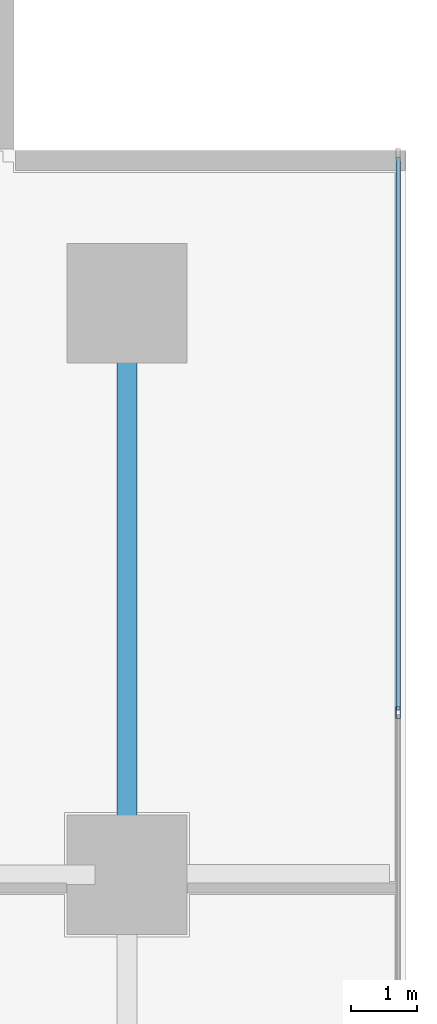
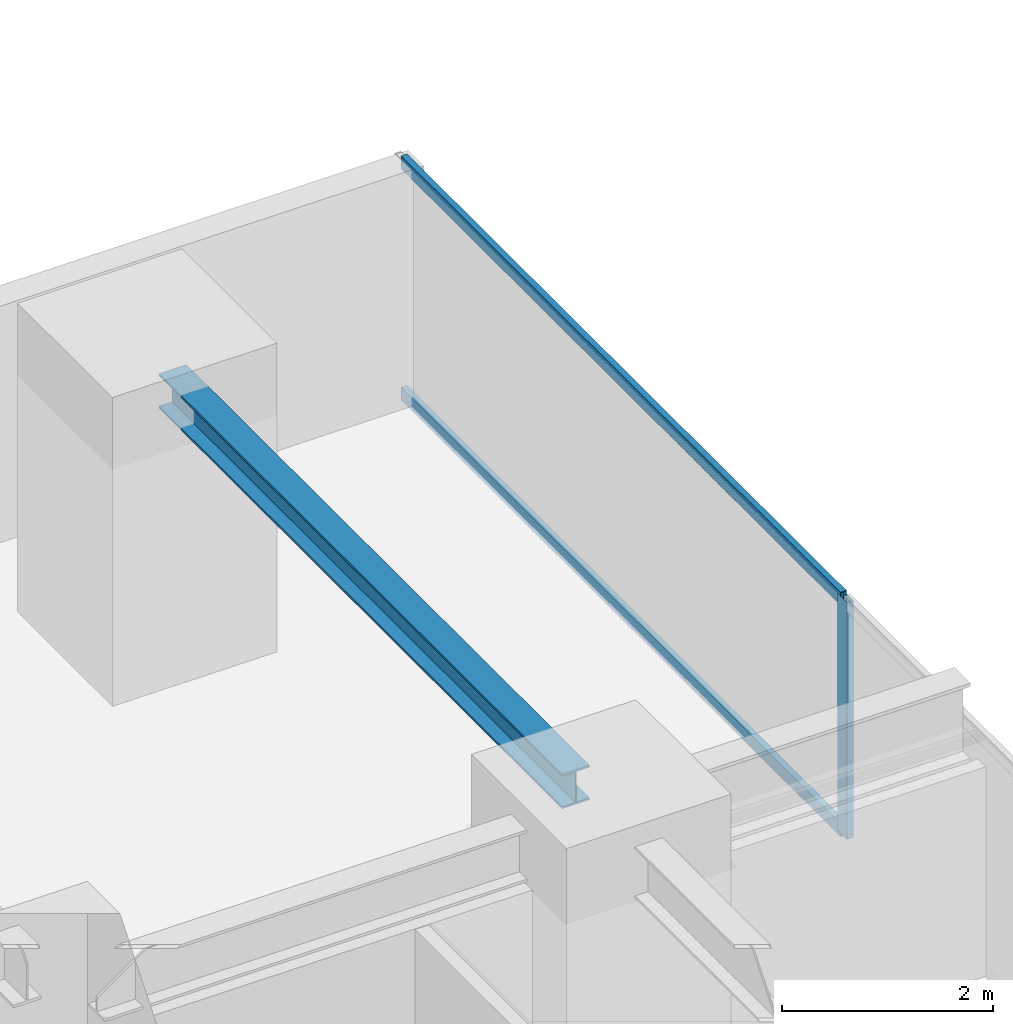
# One storey, part 20 of 32: 3 members, 1 beam, 1 element without a shape of its own.
"""IFC4 building model written with IfcOpenShell, lengths in metres."""

from ifc_helpers import new_model, si_unit, direction, frame, origin, origin_2d, place, context, subcontext, project, spatial, hollow_rectangle, i_section, extrude, source, transform, mapped, material, layer, layer_set, material_profile, profile_set, type_object, element, aggregate, save


model = new_model("IFC4")

# Units and contexts
model_context = context("Model", 3, precision=1e-05, world=origin(), true_north=direction((0.0, 1.0)))
body_context = subcontext(model_context, "Body", "Model", "MODEL_VIEW")
ifc_project = project(units=[si_unit("LENGTHUNIT", "METRE"), si_unit("AREAUNIT", "SQUARE_METRE"), si_unit("VOLUMEUNIT", "CUBIC_METRE"), si_unit("PLANEANGLEUNIT", "RADIAN"), si_unit("MASSUNIT", "GRAM", prefix="KILO")], contexts=[model_context])

# Site, building, storey
site_placement = place(None, origin())
site = spatial("IfcSite", under=ifc_project, at=site_placement, CompositionType="ELEMENT")
building_placement = place(site_placement, origin())
building = spatial("IfcBuilding", under=site, at=building_placement, Name="Sumidabori Civic Tower", CompositionType="ELEMENT")
storey_placement = place(building_placement, frame((0.0, 0.0, 52.39990234375)))
storey = spatial("IfcBuildingStorey", under=building, at=storey_placement, Name="L13", CompositionType="ELEMENT", Elevation=52.39990234375)

# Beam
ifc_material_1 = material(Name="Steel SN490", Category="steel")
ifc_material_profile_1 = material_profile(ifc_material_1, i_section(OverallWidth=0.300048828125, OverallDepth=0.39990234375, WebThickness=0.013427734375, FlangeThickness=0.02392578125, at=origin_2d()), Name="HE 400 B")
ifc_profile_set_1 = profile_set([ifc_material_profile_1], Name="Steel SN490")
beam_type = type_object("IfcBeamType", Name="BM-GIRD-400", PredefinedType="BEAM", material=ifc_profile_set_1)
shared_shape_1 = source(origin(), body_context, "Body", "SweptSolid", [
    extrude(i_section(OverallWidth=0.300048828125, OverallDepth=0.39990234375, WebThickness=0.013427734375, FlangeThickness=0.02392578125, at=origin_2d()), origin(), (0.0, 0.0, 1.0), 7.64013671875),
])
beam_placement = place(storey_placement, frame((22.800048828125, 10.679931640625, 3.16015625), z_axis=(0.0, 1.0, 0.0), x_axis=(-1.0, 0.0, 0.0)))
element("IfcBeam", 1, at=beam_placement, inside=storey, type_object=beam_type, Name="Primary Girder L13 GY-42", PredefinedType="BEAM", context=body_context, shape_type="MappedRepresentation", body=[
    mapped(shared_shape_1, transform((0.0, 0.0, 0.0), x_axis=(1.0, 0.0, 0.0), y_axis=(0.0, 1.0, 0.0), z_axis=(0.0, 0.0, 1.0), scale=1.0)),
])

# Curtain wall, members
ifc_material_2 = material(Name="Anodised Bronze Aluminium AW-6063-T6", Category="aluminium")
ifc_layer = layer(ifc_material_2, 0.179931640625, Name="Anodised Bronze Aluminium AW-6063-T6")
ifc_layer_set = layer_set([ifc_layer], Name="Anodised Bronze Aluminium AW-6063-T6")
curtain_wall_type = type_object("IfcCurtainWallType", Name="CW-SYS-2", PredefinedType="NOTDEFINED", material=ifc_layer_set)
curtain_wall_placement = place(storey_placement, origin())
curtain_wall = element("IfcCurtainWall", 2, at=curtain_wall_placement, inside=storey, type_object=curtain_wall_type, Name="Curtain Wall CW:L13:R04", PredefinedType="NOTDEFINED")
ifc_material_profile_2 = material_profile(ifc_material_2, hollow_rectangle(XDim=0.070068359375, YDim=0.179931640625, WallThickness=0.006103515625, at=origin_2d()), Name="ALU MULLION 180x70")
ifc_profile_set_2 = profile_set([ifc_material_profile_2], Name="Anodised Bronze Aluminium AW-6063-T6")
member_type_1 = type_object("IfcMemberType", Name="CW-MUL-180", PredefinedType="MULLION", material=ifc_profile_set_2)
shared_shape_2 = source(origin(), body_context, "Body", "SweptSolid", [
    extrude(hollow_rectangle(XDim=0.070068359375, YDim=0.179931640625, WallThickness=0.006103515625, at=origin_2d()), origin(), (0.0, 0.0, 1.0), 2.739990234375),
])
member_1_placement = place(storey_placement, frame((26.8798828125, 12.64208984375, 0.0), z_axis=(0.0, 0.0, 1.0), x_axis=(-1.0, 0.0, 0.0)))
member_1 = element("IfcMember", 3, at=member_1_placement, type_object=member_type_1, Name="CW-2 mullion 5", PredefinedType="MULLION", context=body_context, shape_type="MappedRepresentation", body=[
    mapped(shared_shape_2, transform((0.0, 0.0, 0.0), x_axis=(1.0, 0.0, 0.0), y_axis=(0.0, 1.0, 0.0), z_axis=(0.0, 0.0, 1.0), scale=1.0)),
])
ifc_material_profile_3 = material_profile(ifc_material_2, hollow_rectangle(XDim=0.06494140625, YDim=0.14990234375, WallThickness=0.0048828125, at=origin_2d()), Name="ALU TRANSOM 150x65")
ifc_profile_set_3 = profile_set([ifc_material_profile_3], Name="Anodised Bronze Aluminium AW-6063-T6")
member_type_2 = type_object("IfcMemberType", Name="CW-TRN-150", PredefinedType="USERDEFINED", material=ifc_profile_set_3)
shared_shape_3 = source(origin(), body_context, "Body", "SweptSolid", [
    extrude(hollow_rectangle(XDim=0.06494140625, YDim=0.14990234375, WallThickness=0.0048828125, at=origin_2d()), origin(), (0.0, 0.0, 1.0), 8.322998046875),
])
member_2_placement = place(storey_placement, frame((26.8798828125, 12.677001953125, 0.03271484375), z_axis=(0.0, 1.0, 0.0), x_axis=(-1.0, 0.0, 0.0)))
member_2 = element("IfcMember", 4, at=member_2_placement, type_object=member_type_2, Name="CW-2 transom 5.1", ObjectType="TRANSOM", PredefinedType="USERDEFINED", context=body_context, shape_type="MappedRepresentation", body=[
    mapped(shared_shape_3, transform((0.0, 0.0, 0.0), x_axis=(1.0, 0.0, 0.0), y_axis=(0.0, 1.0, 0.0), z_axis=(0.0, 0.0, 1.0), scale=1.0)),
])
member_3_placement = place(storey_placement, frame((26.8798828125, 12.677001953125, 2.70751953125), z_axis=(0.0, 1.0, 0.0), x_axis=(-1.0, 0.0, 0.0)))
member_3 = element("IfcMember", 5, at=member_3_placement, type_object=member_type_2, Name="CW-2 transom 5.2", ObjectType="TRANSOM", PredefinedType="USERDEFINED", context=body_context, shape_type="MappedRepresentation", body=[
    mapped(shared_shape_3, transform((0.0, 0.0, 0.0), x_axis=(1.0, 0.0, 0.0), y_axis=(0.0, 1.0, 0.0), z_axis=(0.0, 0.0, 1.0), scale=1.0)),
])
aggregate(curtain_wall, [member_1, member_2, member_3])

save(model, "model.ifc")
